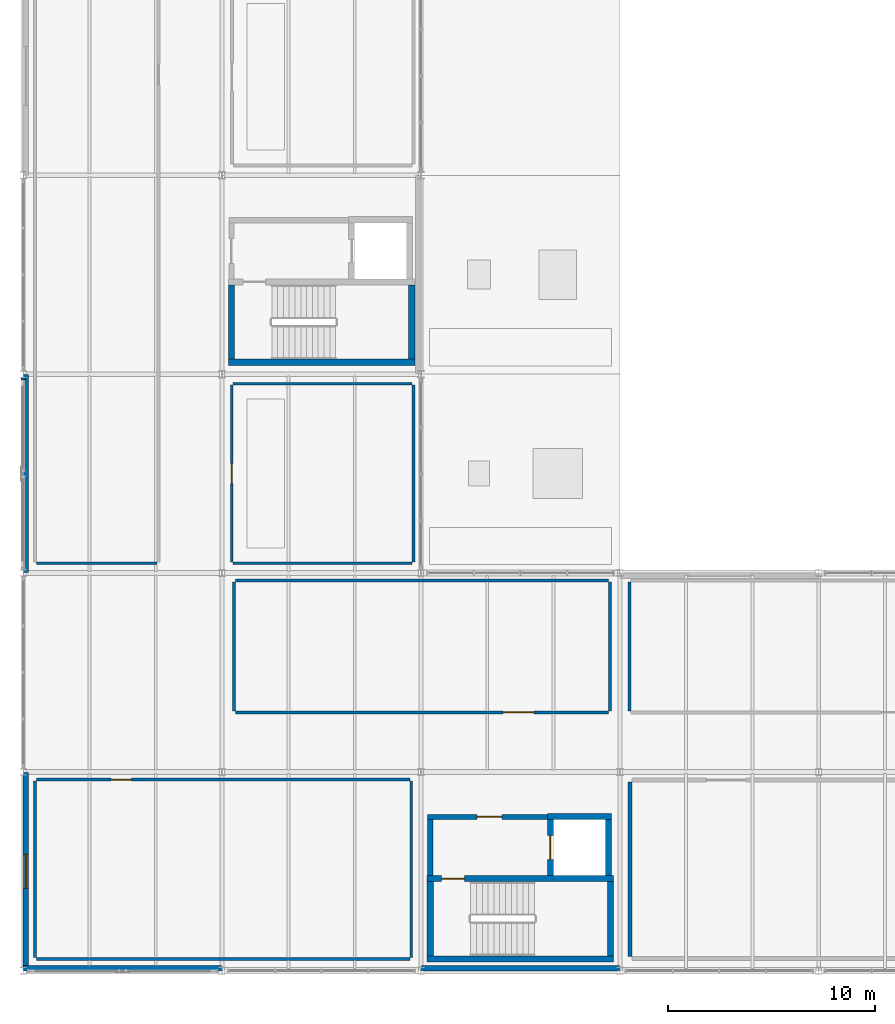
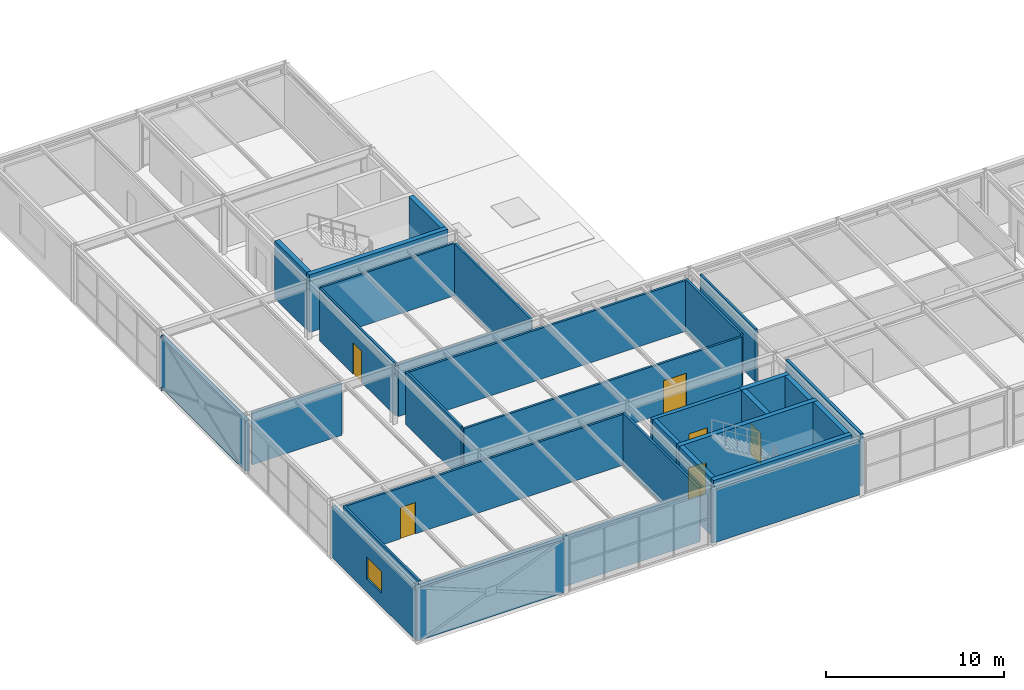
# One storey, part 42 of 50: 31 walls, 6 doors, 2 plates, 1 window, 7 openings.
"""IFC4 building model written with IfcOpenShell, lengths in metres."""

from ifc_helpers import new_model, si_unit, direction, frame, frame_2d, origin, origin_2d, place, context, subcontext, project, spatial, rectangle, extrude, material, layer, layer_set, type_object, element, fill, save


model = new_model("IFC4")

# Units and contexts
model_context = context("Model", 3, precision=1e-05, world=origin(), true_north=direction((0.0, 1.0)))
body_context = subcontext(model_context, "Body", "Model", "MODEL_VIEW")
ifc_project = project(units=[si_unit("LENGTHUNIT", "METRE"), si_unit("AREAUNIT", "SQUARE_METRE"), si_unit("VOLUMEUNIT", "CUBIC_METRE"), si_unit("PLANEANGLEUNIT", "RADIAN"), si_unit("MASSUNIT", "GRAM", prefix="KILO")], contexts=[model_context])

# Site, building, storey
site_placement = place(None, origin())
site = spatial("IfcSite", under=ifc_project, at=site_placement, CompositionType="ELEMENT")
building_placement = place(site_placement, origin())
building = spatial("IfcBuilding", under=site, at=building_placement, Name="Coralgate Yard Interchange", CompositionType="ELEMENT")
storey_placement = place(building_placement, frame((0.0, 0.0, 14.699951171875)))
storey = spatial("IfcBuildingStorey", under=building, at=storey_placement, Name="L03", CompositionType="ELEMENT", Elevation=14.699951171875)

# Plates
ifc_material_1 = material(Name="Structural steel S355J2", Category="steel")
ifc_layer_1 = layer(ifc_material_1, 0.01806640625)
ifc_layer_set_1 = layer_set([ifc_layer_1], Name="Structural steel S355J2")
plate_type = type_object("IfcPlateType", Name="PLT-EP-18", PredefinedType="USERDEFINED", material=ifc_layer_set_1)
for number, where, z_axis, x_axis, name in (
    (1, (0.0, 28.55810546875, 3.629150390625), (0.0, 0.929806613064, 0.368048451025), (-1.0, 0.0, 0.0), "Steel hollow section end cap plate CAP-BRC-L03-W-A-1"),
    (2, (0.0, 28.55810546875, 0.02099609375), (0.0, 0.929806613064, -0.368048451025), (-1.0, 0.0, 0.0), "Steel hollow section end cap plate CAP-BRC-L03-W-B1-0"),
):
    element("IfcPlate", number, at=place(storey_placement, frame(where, z_axis=z_axis, x_axis=x_axis)), inside=storey, type_object=plate_type, Name=name, ObjectType="CAP PLATE", PredefinedType="USERDEFINED", context=body_context, shape_type="SweptSolid", body=[
        extrude(rectangle(XDim=0.197998046875, YDim=0.197998046875, at=origin_2d()), origin(), (0.0, 0.0, 1.0), 0.01806640625),
    ])

# Walls
ifc_material_2 = material(Name="Concrete C40/50", Category="concrete")
ifc_layer_2 = layer(ifc_material_2, 0.300048828125)
ifc_layer_set_2 = layer_set([ifc_layer_2], Name="Concrete C40/50")
wall_type_1 = type_object("IfcWallType", Name="WAL-CW300", PredefinedType="SHEAR", material=ifc_layer_set_2)
wall_1_placement = place(storey_placement, frame((9.89990234375, 29.3701171875, 0.0), z_axis=(0.0, 0.0, 1.0), x_axis=(1.0, 0.0, 0.0)))
element("IfcWall", 3, at=wall_1_placement, inside=storey, type_object=wall_type_1, Name="C1 L03 stair south shear wall", PredefinedType="SHEAR", context=body_context, shape_type="SweptSolid", body=[
    extrude(rectangle(XDim=9.0, YDim=0.300048828125, at=frame_2d((4.5, 0.0))), origin(), (0.0, 0.0, 1.0), 3.949951171875),
])
for number, where, z_axis, x_axis, name in (
    (4, (10.050048828125, 29.52001953125, 0.0), (0.0, 0.0, 1.0), (0.0, 1.0, 0.0), "C1 L03 stair west shear wall"),
    (5, (18.75, 33.10009765625, 0.0), (0.0, 0.0, 1.0), (0.0, -1.0, 0.0), "C1 L03 stair east shear wall"),
):
    element("IfcWall", number, at=place(storey_placement, frame(where, z_axis=z_axis, x_axis=x_axis)), inside=storey, type_object=wall_type_1, Name=name, PredefinedType="SHEAR", context=body_context, shape_type="SweptSolid", body=[
        extrude(rectangle(XDim=3.580078125, YDim=0.300048828125, at=frame_2d((1.7900390625, 0.0))), origin(), (0.0, 0.0, 1.0), 3.949951171875),
    ])
wall_2_placement = place(storey_placement, frame((19.5, 0.570068359375, 0.0), z_axis=(0.0, 0.0, 1.0), x_axis=(1.0, 0.0, 0.0)))
element("IfcWall", 6, at=wall_2_placement, inside=storey, type_object=wall_type_1, Name="C3 L03 stair south shear wall", PredefinedType="SHEAR", context=body_context, shape_type="SweptSolid", body=[
    extrude(rectangle(XDim=9.0, YDim=0.300048828125, at=frame_2d((4.5, 0.0))), origin(), (0.0, 0.0, 1.0), 3.949951171875),
])

# Wall, opening, door
wall_3_placement = place(storey_placement, frame((28.5, 4.449951171875, 0.0), z_axis=(0.0, 0.0, 1.0), x_axis=(-1.0, 0.0, 0.0)))
wall_3 = element("IfcWall", 7, at=wall_3_placement, inside=storey, type_object=wall_type_1, Name="C3 L03 stair north shear wall", PredefinedType="SHEAR", context=body_context, shape_type="SweptSolid", body=[
    extrude(rectangle(XDim=9.0, YDim=0.300048828125, at=frame_2d((4.5, 0.0))), origin(), (0.0, 0.0, 1.0), 3.949951171875),
])
opening_1_placement = place(wall_3_placement, frame((7.199951171875, 0.0, 0.0)))
opening_1 = element("IfcOpeningElement", 8, at=opening_1_placement, cuts=wall_3, Name="Opening FD-1", PredefinedType="OPENING", context=body_context, shape_type="SweptSolid", body=[
    extrude(rectangle(XDim=1.10009765625, YDim=2.14990234375, at=frame_2d((0.550048828125, 1.074951171875))), frame((0.0, 0.159912109375, 0.0), z_axis=(0.0, -1.0, 0.0), x_axis=(1.0, 0.0, 0.0)), (0.0, 0.0, 1.0), 0.320068359375),
])
ifc_material_3 = material(Name="Powder-coated steel fire door assembly", Category="steel")
door_type_1 = type_object("IfcDoorType", Name="DOR-FD-1", OperationType="NOTDEFINED", PredefinedType="DOOR", material=ifc_material_3)
door_1_placement = place(opening_1_placement, frame((1.10009765625, 0.0, 0.0), z_axis=(0.0, 0.0, 1.0), x_axis=(-1.0, 0.0, 0.0)))
door_1 = element("IfcDoor", 9, at=door_1_placement, inside=storey, type_object=door_type_1, Name="C3 L03 stair fire door", OperationType="SINGLE_SWING_RIGHT", OverallHeight=2.14990234375, OverallWidth=1.10009765625, PredefinedType="DOOR", context=body_context, shape_type="SweptSolid", body=[
    extrude(rectangle(XDim=1.10009765625, YDim=2.14990234375, at=frame_2d((0.550048828125, 1.074951171875))), frame((0.0, 0.02490234375, 0.0), z_axis=(0.0, -1.0, 0.0), x_axis=(1.0, 0.0, 0.0)), (0.0, 0.0, 1.0), 0.050048828125),
])
fill(opening_1, door_1)

# Walls
for number, where, z_axis, x_axis, name in (
    (10, (19.64990234375, 0.719970703125, 0.0), (0.0, 0.0, 1.0), (0.0, 1.0, 0.0), "C3 L03 stair west shear wall"),
    (11, (28.35009765625, 4.300048828125, 0.0), (0.0, 0.0, 1.0), (0.0, -1.0, 0.0), "C3 L03 stair east shear wall"),
):
    element("IfcWall", number, at=place(storey_placement, frame(where, z_axis=z_axis, x_axis=x_axis)), inside=storey, type_object=wall_type_1, Name=name, PredefinedType="SHEAR", context=body_context, shape_type="SweptSolid", body=[
        extrude(rectangle(XDim=3.580078125, YDim=0.300048828125, at=frame_2d((1.7900390625, 0.0))), origin(), (0.0, 0.0, 1.0), 3.949951171875),
    ])

# Wall, opening, door
wall_4_placement = place(storey_placement, frame((25.449951171875, 7.300048828125, 0.0), z_axis=(0.0, 0.0, 1.0), x_axis=(0.0, -1.0, 0.0)))
wall_4 = element("IfcWall", 12, at=wall_4_placement, inside=storey, type_object=wall_type_1, Name="C3 L03 lift front shear wall", PredefinedType="SHEAR", context=body_context, shape_type="SweptSolid", body=[
    extrude(rectangle(XDim=2.699951171875, YDim=0.300048828125, at=frame_2d((1.35009765625, 0.0))), origin(), (0.0, 0.0, 1.0), 3.949951171875),
])
opening_2_placement = place(wall_4_placement, frame((0.77490234375, 0.0, 0.0)))
opening_2 = element("IfcOpeningElement", 13, at=opening_2_placement, cuts=wall_4, Name="Opening LD-2", PredefinedType="OPENING", context=body_context, shape_type="SweptSolid", body=[
    extrude(rectangle(XDim=1.14990234375, YDim=2.10009765625, at=frame_2d((0.574951171875, 1.050048828125))), frame((0.0, 0.159912109375, 0.0), z_axis=(0.0, -1.0, 0.0), x_axis=(1.0, 0.0, 0.0)), (0.0, 0.0, 1.0), 0.320068359375),
])
ifc_material_4 = material(Name="Brushed stainless steel passenger lift landing door", Category="steel")
door_type_2 = type_object("IfcDoorType", Name="DOR-LD-2", OperationType="DOUBLE_DOOR_SLIDING", PredefinedType="DOOR", material=ifc_material_4)
door_2_placement = place(opening_2_placement, frame((1.14990234375, 0.0, 0.0), z_axis=(0.0, 0.0, 1.0), x_axis=(-1.0, 0.0, 0.0)))
door_2 = element("IfcDoor", 14, at=door_2_placement, inside=storey, type_object=door_type_2, Name="LF-01 L03 sliding lift landing door", OperationType="DOUBLE_DOOR_SLIDING", OverallHeight=2.10009765625, OverallWidth=1.14990234375, PredefinedType="DOOR", context=body_context, shape_type="SweptSolid", body=[
    extrude(rectangle(XDim=1.14990234375, YDim=2.10009765625, at=frame_2d((0.574951171875, 1.050048828125))), frame((0.0, 0.02490234375, 0.0), z_axis=(0.0, -1.0, 0.0), x_axis=(1.0, 0.0, 0.0)), (0.0, 0.0, 1.0), 0.050048828125),
])
fill(opening_2, door_2)

# Walls
wall_5_placement = place(storey_placement, frame((28.25, 4.60009765625, 0.0), z_axis=(0.0, 0.0, 1.0), x_axis=(0.0, 1.0, 0.0)))
element("IfcWall", 15, at=wall_5_placement, inside=storey, type_object=wall_type_1, Name="C3 L03 lift rear shear wall", PredefinedType="SHEAR", context=body_context, shape_type="SweptSolid", body=[
    extrude(rectangle(XDim=2.699951171875, YDim=0.300048828125, at=frame_2d((1.35009765625, 0.0))), origin(), (0.0, 0.0, 1.0), 3.949951171875),
])
wall_6_placement = place(storey_placement, frame((25.300048828125, 7.449951171875, 0.0), z_axis=(0.0, 0.0, 1.0), x_axis=(1.0, 0.0, 0.0)))
element("IfcWall", 16, at=wall_6_placement, inside=storey, type_object=wall_type_1, Name="C3 L03 lift north shear wall", PredefinedType="SHEAR", context=body_context, shape_type="SweptSolid", body=[
    extrude(rectangle(XDim=3.099853515625, YDim=0.300048828125, at=frame_2d((1.5498046875, 0.0))), origin(), (0.0, 0.0, 1.0), 3.949951171875),
])
ifc_material_5 = material(Name="Precast concrete C40/50", Category="concrete")
ifc_layer_3 = layer(ifc_material_5, 0.260009765625)
ifc_layer_set_3 = layer_set([ifc_layer_3], Name="Precast concrete C40/50")
wall_type_2 = type_object("IfcWallType", Name="WAL-EW-260", PredefinedType="SOLIDWALL", material=ifc_layer_set_3)
wall_7_placement = place(storey_placement, frame((9.580078125, 0.1298828125, 0.0), z_axis=(0.0, 0.0, 1.0), x_axis=(-1.0, 0.0, 0.0)))
element("IfcWall", 17, at=wall_7_placement, inside=storey, type_object=wall_type_2, Name="L03 exterior coastal wall S 0-0", PredefinedType="SOLIDWALL", context=body_context, shape_type="SweptSolid", body=[
    extrude(rectangle(XDim=9.56005859375, YDim=0.260009765625, at=frame_2d((4.780029296875, 0.0))), origin(), (0.0, 0.0, 1.0), 3.66015625),
])

# Wall, opening, window
wall_8_placement = place(storey_placement, frame((0.1298828125, 0.02001953125, 0.0), z_axis=(0.0, 0.0, 1.0), x_axis=(0.0, 1.0, 0.0)))
wall_8 = element("IfcWall", 18, at=wall_8_placement, inside=storey, type_object=wall_type_2, Name="L03 exterior coastal wall W 0-0", PredefinedType="SOLIDWALL", context=body_context, shape_type="SweptSolid", body=[
    extrude(rectangle(XDim=9.56005859375, YDim=0.260009765625, at=frame_2d((4.780029296875, 0.0))), origin(), (0.0, 0.0, 1.0), 3.4931640625),
])
opening_3_placement = place(wall_8_placement, frame((3.955078125, 0.0, 0.89990234375)))
opening_3 = element("IfcOpeningElement", 19, at=opening_3_placement, cuts=wall_8, Name="Opening W-16", PredefinedType="OPENING", context=body_context, shape_type="SweptSolid", body=[
    extrude(rectangle(XDim=1.64990234375, YDim=1.5, at=frame_2d((0.824951171875, 0.75))), frame((0.0, 0.139892578125, 0.0), z_axis=(0.0, -1.0, 0.0), x_axis=(1.0, 0.0, 0.0)), (0.0, 0.0, 1.0), 0.280029296875),
])
ifc_material_6 = material(Name="Thermally broken anodised aluminium and solar-control low-E glass", Category="aluminium")
window_type = type_object("IfcWindowType", Name="WIN-W-16", PartitioningType="SINGLE_PANEL", PredefinedType="WINDOW", material=ifc_material_6)
window_placement = place(opening_3_placement, origin())
window = element("IfcWindow", 20, at=window_placement, inside=storey, type_object=window_type, Name="L03 coastal facade window W-0-0", OverallHeight=1.5, OverallWidth=1.64990234375, PartitioningType="SINGLE_PANEL", PredefinedType="WINDOW", context=body_context, shape_type="SweptSolid", body=[
    extrude(rectangle(XDim=1.64990234375, YDim=1.5, at=frame_2d((0.824951171875, 0.75))), frame((0.0, 0.030029296875, 0.0), z_axis=(0.0, -1.0, 0.0), x_axis=(1.0, 0.0, 0.0)), (0.0, 0.0, 1.0), 0.06005859375),
])
fill(opening_3, window)

# Walls
wall_9_placement = place(storey_placement, frame((0.1298828125, 19.219970703125, 0.0), z_axis=(0.0, 0.0, 1.0), x_axis=(0.0, 1.0, 0.0)))
element("IfcWall", 21, at=wall_9_placement, inside=storey, type_object=wall_type_2, Name="L03 exterior coastal wall W 0-2", PredefinedType="SOLIDWALL", context=body_context, shape_type="SweptSolid", body=[
    extrude(rectangle(XDim=9.56005859375, YDim=0.260009765625, at=frame_2d((4.780029296875, 0.0))), origin(), (0.0, 0.0, 1.0), 3.4931640625),
])
wall_10_placement = place(storey_placement, frame((28.780029296875, 0.1298828125, 0.0), z_axis=(0.0, 0.0, 1.0), x_axis=(-1.0, 0.0, 0.0)))
element("IfcWall", 22, at=wall_10_placement, inside=storey, type_object=wall_type_2, Name="L03 exterior coastal wall S 2-0", PredefinedType="SOLIDWALL", context=body_context, shape_type="SweptSolid", body=[
    extrude(rectangle(XDim=9.56005859375, YDim=0.260009765625, at=frame_2d((4.780029296875, 0.0))), origin(), (0.0, 0.0, 1.0), 3.66015625),
])
ifc_material_7 = material(Name="Fire-lined corridor stud partition")
ifc_layer_4 = layer(ifc_material_7, 0.1298828125)
ifc_layer_set_4 = layer_set([ifc_layer_4], Name="Fire-lined corridor stud partition")
wall_type_3 = type_object("IfcWallType", Name="WAL-PW-130", PredefinedType="PARTITIONING", material=ifc_layer_set_4)
for number, where, z_axis, x_axis, name in (
    (23, (18.77001953125, 19.6650390625, 0.0), (0.0, 0.0, 1.0), (-1.0, 0.0, 0.0), "Staff Welfare and HR Advisory Office partition S"),
    (24, (10.1298828125, 28.3349609375, 0.0), (0.0, 0.0, 1.0), (1.0, 0.0, 0.0), "Staff Welfare and HR Advisory Office partition N"),
):
    element("IfcWall", number, at=place(storey_placement, frame(where, z_axis=z_axis, x_axis=x_axis)), inside=storey, type_object=wall_type_3, Name=name, PredefinedType="PARTITIONING", context=body_context, shape_type="SweptSolid", body=[
        extrude(rectangle(XDim=8.64013671875, YDim=0.1298828125, at=frame_2d((4.320068359375, 0.0))), origin(), (0.0, 0.0, 1.0), 3.590087890625),
    ])

# Wall, opening, door
wall_11_placement = place(storey_placement, frame((10.06494140625, 19.72998046875, 0.0), z_axis=(0.0, 0.0, 1.0), x_axis=(0.0, 1.0, 0.0)))
wall_11 = element("IfcWall", 25, at=wall_11_placement, inside=storey, type_object=wall_type_3, Name="Staff Welfare and HR Advisory Office partition W", PredefinedType="PARTITIONING", context=body_context, shape_type="SweptSolid", body=[
    extrude(rectangle(XDim=8.5400390625, YDim=0.1298828125, at=frame_2d((4.27001953125, 0.0))), origin(), (0.0, 0.0, 1.0), 3.590087890625),
])
opening_4_placement = place(wall_11_placement, frame((3.780029296875, 0.0, 0.0)))
opening_4 = element("IfcOpeningElement", 26, at=opening_4_placement, cuts=wall_11, Name="Opening ID-12", PredefinedType="OPENING", context=body_context, shape_type="SweptSolid", body=[
    extrude(rectangle(XDim=0.97998046875, YDim=2.14990234375, at=frame_2d((0.489990234375, 1.074951171875))), frame((0.0, 0.074951171875, 0.0), z_axis=(0.0, -1.0, 0.0), x_axis=(1.0, 0.0, 0.0)), (0.0, 0.0, 1.0), 0.14990234375),
])
ifc_material_8 = material(Name="Timber crew welfare room door", Category="wood")
door_type_3 = type_object("IfcDoorType", Name="DOR-ID-12", OperationType="NOTDEFINED", PredefinedType="DOOR", material=ifc_material_8)
door_3_placement = place(opening_4_placement, frame((0.97998046875, 0.0, 0.0), z_axis=(0.0, 0.0, 1.0), x_axis=(-1.0, 0.0, 0.0)))
door_3 = element("IfcDoor", 27, at=door_3_placement, inside=storey, type_object=door_type_3, Name="Staff Welfare and HR Advisory Office door", OperationType="SINGLE_SWING_RIGHT", OverallHeight=2.14990234375, OverallWidth=0.97998046875, PredefinedType="DOOR", context=body_context, shape_type="SweptSolid", body=[
    extrude(rectangle(XDim=0.97998046875, YDim=2.14990234375, at=frame_2d((0.489990234375, 1.074951171875))), frame((0.0, 0.02490234375, 0.0), z_axis=(0.0, -1.0, 0.0), x_axis=(1.0, 0.0, 0.0)), (0.0, 0.0, 1.0), 0.050048828125),
])
fill(opening_4, door_3)

# Walls
wall_12_placement = place(storey_placement, frame((18.8349609375, 28.27001953125, 0.0), z_axis=(0.0, 0.0, 1.0), x_axis=(0.0, -1.0, 0.0)))
element("IfcWall", 28, at=wall_12_placement, inside=storey, type_object=wall_type_3, Name="Staff Welfare and HR Advisory Office partition E", PredefinedType="PARTITIONING", context=body_context, shape_type="SweptSolid", body=[
    extrude(rectangle(XDim=8.5400390625, YDim=0.1298828125, at=frame_2d((4.27001953125, 0.0))), origin(), (0.0, 0.0, 1.0), 3.590087890625),
])
ifc_material_9 = material(Name="Acoustic twin-stud office partition")
ifc_layer_5 = layer(ifc_material_9, 0.139892578125)
ifc_layer_set_5 = layer_set([ifc_layer_5], Name="Acoustic twin-stud office partition")
wall_type_4 = type_object("IfcWallType", Name="WAL-PW-140", PredefinedType="PARTITIONING", material=ifc_layer_set_5)
wall_13_placement = place(storey_placement, frame((18.659912109375, 0.570068359375, 0.0), z_axis=(0.0, 0.0, 1.0), x_axis=(-1.0, 0.0, 0.0)))
element("IfcWall", 29, at=wall_13_placement, inside=storey, type_object=wall_type_4, Name="Crew Quiet Rest Lounge partition S", PredefinedType="PARTITIONING", context=body_context, shape_type="SweptSolid", body=[
    extrude(rectangle(XDim=18.02001953125, YDim=0.139892578125, at=frame_2d((9.010009765625, 0.0))), origin(), (0.0, 0.0, 1.0), 3.483154296875),
])

# Wall, opening, door
wall_14_placement = place(storey_placement, frame((0.639892578125, 9.22998046875, 0.0), z_axis=(0.0, 0.0, 1.0), x_axis=(1.0, 0.0, 0.0)))
wall_14 = element("IfcWall", 30, at=wall_14_placement, inside=storey, type_object=wall_type_4, Name="Crew Quiet Rest Lounge partition N", PredefinedType="PARTITIONING", context=body_context, shape_type="SweptSolid", body=[
    extrude(rectangle(XDim=18.02001953125, YDim=0.139892578125, at=frame_2d((9.010009765625, 0.0))), origin(), (0.0, 0.0, 1.0), 3.483154296875),
])
opening_5_placement = place(wall_14_placement, frame((3.60009765625, 0.0, 0.0)))
opening_5 = element("IfcOpeningElement", 31, at=opening_5_placement, cuts=wall_14, Name="Opening ID-12", PredefinedType="OPENING", context=body_context, shape_type="SweptSolid", body=[
    extrude(rectangle(XDim=0.97998046875, YDim=2.14990234375, at=frame_2d((0.489990234375, 1.074951171875))), frame((0.0, 0.079833984375, 0.0), z_axis=(0.0, -1.0, 0.0), x_axis=(1.0, 0.0, 0.0)), (0.0, 0.0, 1.0), 0.159912109375),
])
door_4_placement = place(opening_5_placement, origin())
door_4 = element("IfcDoor", 32, at=door_4_placement, inside=storey, type_object=door_type_3, Name="Crew Quiet Rest Lounge door", OperationType="SINGLE_SWING_RIGHT", OverallHeight=2.14990234375, OverallWidth=0.97998046875, PredefinedType="DOOR", context=body_context, shape_type="SweptSolid", body=[
    extrude(rectangle(XDim=0.97998046875, YDim=2.14990234375, at=frame_2d((0.489990234375, 1.074951171875))), frame((0.0, 0.02490234375, 0.0), z_axis=(0.0, -1.0, 0.0), x_axis=(1.0, 0.0, 0.0)), (0.0, 0.0, 1.0), 0.050048828125),
])
fill(opening_5, door_4)

# Walls
for number, where, z_axis, x_axis, name in (
    (33, (0.570068359375, 0.639892578125, 0.0), (0.0, 0.0, 1.0), (0.0, 1.0, 0.0), "Crew Quiet Rest Lounge partition W"),
    (34, (18.72998046875, 9.159912109375, 0.0), (0.0, 0.0, 1.0), (0.0, -1.0, 0.0), "Crew Quiet Rest Lounge partition E"),
):
    element("IfcWall", number, at=place(storey_placement, frame(where, z_axis=z_axis, x_axis=x_axis)), inside=storey, type_object=wall_type_4, Name=name, PredefinedType="PARTITIONING", context=body_context, shape_type="SweptSolid", body=[
        extrude(rectangle(XDim=8.52001953125, YDim=0.139892578125, at=frame_2d((4.260009765625, 0.0))), origin(), (0.0, 0.0, 1.0), 3.590087890625),
    ])
wall_15_placement = place(storey_placement, frame((6.4599609375, 19.669921875, 0.0), z_axis=(0.0, 0.0, 1.0), x_axis=(-1.0, 0.0, 0.0)))
element("IfcWall", 35, at=wall_15_placement, inside=storey, type_object=wall_type_4, Name="Train and Bus Crew Locker Room partition S", PredefinedType="PARTITIONING", context=body_context, shape_type="SweptSolid", body=[
    extrude(rectangle(XDim=5.820068359375, YDim=0.139892578125, at=frame_2d((2.91015625, 0.0))), origin(), (0.0, 0.0, 1.0), 3.590087890625),
])

# Wall, opening, door
wall_16_placement = place(storey_placement, frame((28.260009765625, 12.469970703125, 0.0), z_axis=(0.0, 0.0, 1.0), x_axis=(-1.0, 0.0, 0.0)))
wall_16 = element("IfcWall", 36, at=wall_16_placement, inside=storey, type_object=wall_type_4, Name="Crew Fitness and Conditioning Room partition S", PredefinedType="PARTITIONING", context=body_context, shape_type="SweptSolid", body=[
    extrude(rectangle(XDim=18.02001953125, YDim=0.139892578125, at=frame_2d((9.010009765625, 0.0))), origin(), (0.0, 0.0, 1.0), 3.483154296875),
])
opening_6_placement = place(wall_16_placement, frame((3.60009765625, 0.0, 0.0)))
opening_6 = element("IfcOpeningElement", 37, at=opening_6_placement, cuts=wall_16, Name="Opening ID-06", PredefinedType="OPENING", context=body_context, shape_type="SweptSolid", body=[
    extrude(rectangle(XDim=1.5, YDim=2.25, at=frame_2d((0.75, 1.125))), frame((0.0, 0.079833984375, 0.0), z_axis=(0.0, -1.0, 0.0), x_axis=(1.0, 0.0, 0.0)), (0.0, 0.0, 1.0), 0.159912109375),
])
ifc_material_10 = material(Name="Glazed aluminium retail and cafe double door", Category="aluminium")
door_type_4 = type_object("IfcDoorType", Name="DOR-ID-06", OperationType="NOTDEFINED", PredefinedType="DOOR", material=ifc_material_10)
door_5_placement = place(opening_6_placement, frame((1.5, 0.0, 0.0), z_axis=(0.0, 0.0, 1.0), x_axis=(-1.0, 0.0, 0.0)))
door_5 = element("IfcDoor", 38, at=door_5_placement, inside=storey, type_object=door_type_4, Name="Crew Fitness and Conditioning Room door", OperationType="DOUBLE_DOOR_SINGLE_SWING", OverallHeight=2.25, OverallWidth=1.5, PredefinedType="DOOR", context=body_context, shape_type="SweptSolid", body=[
    extrude(rectangle(XDim=1.5, YDim=2.25, at=frame_2d((0.75, 1.125))), frame((0.0, 0.02490234375, 0.0), z_axis=(0.0, -1.0, 0.0), x_axis=(1.0, 0.0, 0.0)), (0.0, 0.0, 1.0), 0.050048828125),
])
fill(opening_6, door_5)

# Walls
wall_17_placement = place(storey_placement, frame((10.239990234375, 18.830078125, 0.0), z_axis=(0.0, 0.0, 1.0), x_axis=(1.0, 0.0, 0.0)))
element("IfcWall", 39, at=wall_17_placement, inside=storey, type_object=wall_type_4, Name="Crew Fitness and Conditioning Room partition N", PredefinedType="PARTITIONING", context=body_context, shape_type="SweptSolid", body=[
    extrude(rectangle(XDim=18.02001953125, YDim=0.139892578125, at=frame_2d((9.010009765625, 0.0))), origin(), (0.0, 0.0, 1.0), 3.483154296875),
])
for number, where, z_axis, x_axis, name in (
    (40, (10.169921875, 12.5400390625, 0.0), (0.0, 0.0, 1.0), (0.0, 1.0, 0.0), "Crew Fitness and Conditioning Room partition W"),
    (41, (28.330078125, 18.760009765625, 0.0), (0.0, 0.0, 1.0), (0.0, -1.0, 0.0), "Crew Fitness and Conditioning Room partition E"),
    (42, (29.27001953125, 12.5400390625, 0.0), (0.0, 0.0, 1.0), (0.0, 1.0, 0.0), "Crew Rostering and Dispatch Office partition W"),
):
    element("IfcWall", number, at=place(storey_placement, frame(where, z_axis=z_axis, x_axis=x_axis)), inside=storey, type_object=wall_type_4, Name=name, PredefinedType="PARTITIONING", context=body_context, shape_type="SweptSolid", body=[
        extrude(rectangle(XDim=6.219970703125, YDim=0.139892578125, at=frame_2d((3.10986328125, 0.0))), origin(), (0.0, 0.0, 1.0), 3.590087890625),
    ])
ifc_material_11 = material(Name="Acoustic concrete blockwork", Category="masonry")
ifc_layer_6 = layer(ifc_material_11, 0.179931640625)
ifc_layer_set_6 = layer_set([ifc_layer_6], Name="Acoustic concrete blockwork")
wall_type_5 = type_object("IfcWallType", Name="WAL-PW-180", PredefinedType="PARTITIONING", material=ifc_layer_set_6)
wall_18_placement = place(storey_placement, frame((29.2900390625, 0.679931640625, 0.0), z_axis=(0.0, 0.0, 1.0), x_axis=(0.0, 1.0, 0.0)))
element("IfcWall", 43, at=wall_18_placement, inside=storey, type_object=wall_type_5, Name="Driver and Train Crew Briefing Hall partition W", PredefinedType="PARTITIONING", context=body_context, shape_type="SweptSolid", body=[
    extrude(rectangle(XDim=8.440185546875, YDim=0.179931640625, at=frame_2d((4.22021484375, 0.0))), origin(), (0.0, 0.0, 1.0), 3.590087890625),
])

# Wall, opening, door
ifc_layer_7 = layer(ifc_material_2, 0.25)
ifc_layer_set_7 = layer_set([ifc_layer_7], Name="Concrete C40/50")
wall_type_6 = type_object("IfcWallType", Name="WAL-SW250", PredefinedType="SHEAR", material=ifc_layer_set_7)
wall_19_placement = place(storey_placement, frame((25.300048828125, 7.425048828125, 0.0), z_axis=(0.0, 0.0, 1.0), x_axis=(-1.0, 0.0, 0.0)))
wall_19 = element("IfcWall", 44, at=wall_19_placement, inside=storey, type_object=wall_type_6, Name="C3 L03 lobby north fire wall", PredefinedType="SHEAR", context=body_context, shape_type="SweptSolid", body=[
    extrude(rectangle(XDim=5.775146484375, YDim=0.25, at=frame_2d((2.8876953125, 0.0))), origin(), (0.0, 0.0, 1.0), 3.949951171875),
])
opening_7_placement = place(wall_19_placement, frame((2.199951171875, 0.0, 0.0)))
opening_7 = element("IfcOpeningElement", 45, at=opening_7_placement, cuts=wall_19, Name="Opening FD-2", PredefinedType="OPENING", context=body_context, shape_type="SweptSolid", body=[
    extrude(rectangle(XDim=1.199951171875, YDim=2.14990234375, at=frame_2d((0.60009765625, 1.074951171875))), frame((0.0, 0.135009765625, 0.0), z_axis=(0.0, -1.0, 0.0), x_axis=(1.0, 0.0, 0.0)), (0.0, 0.0, 1.0), 0.27001953125),
])
door_type_5 = type_object("IfcDoorType", Name="DOR-FD-2", OperationType="NOTDEFINED", PredefinedType="DOOR", material=ifc_material_3)
door_6_placement = place(opening_7_placement, origin())
door_6 = element("IfcDoor", 46, at=door_6_placement, inside=storey, type_object=door_type_5, Name="C3 L03 lobby fire door", OperationType="SINGLE_SWING_LEFT", OverallHeight=2.14990234375, OverallWidth=1.199951171875, PredefinedType="DOOR", context=body_context, shape_type="SweptSolid", body=[
    extrude(rectangle(XDim=1.199951171875, YDim=2.14990234375, at=frame_2d((0.60009765625, 1.074951171875))), frame((0.0, 0.02490234375, 0.0), z_axis=(0.0, -1.0, 0.0), x_axis=(1.0, 0.0, 0.0)), (0.0, 0.0, 1.0), 0.050048828125),
])
fill(opening_7, door_6)

# Wall
wall_20_placement = place(storey_placement, frame((19.64990234375, 4.60009765625, 0.0), z_axis=(0.0, 0.0, 1.0), x_axis=(0.0, 1.0, 0.0)))
element("IfcWall", 47, at=wall_20_placement, inside=storey, type_object=wall_type_6, Name="C3 L03 lobby west fire wall", PredefinedType="SHEAR", context=body_context, shape_type="SweptSolid", body=[
    extrude(rectangle(XDim=2.699951171875, YDim=0.25, at=frame_2d((1.35009765625, 0.0))), origin(), (0.0, 0.0, 1.0), 3.949951171875),
])

save(model, "model.ifc")
